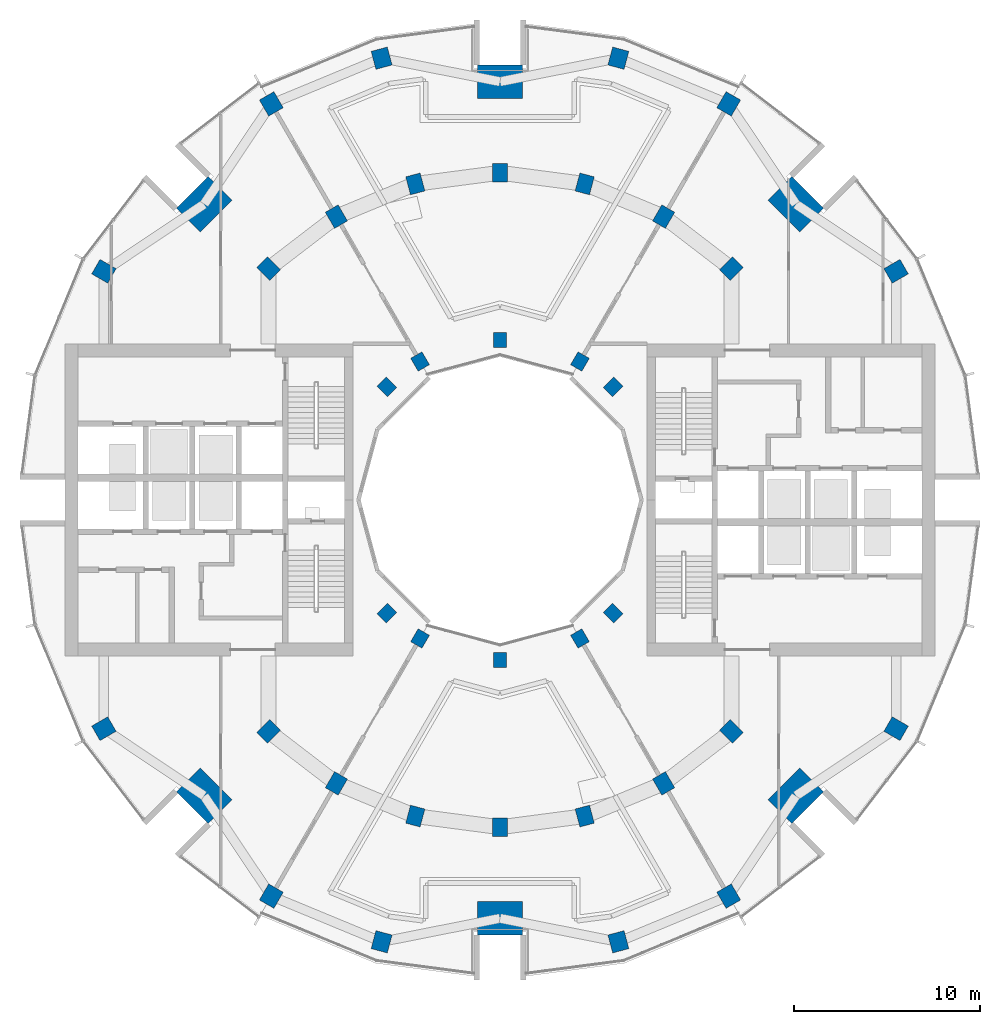
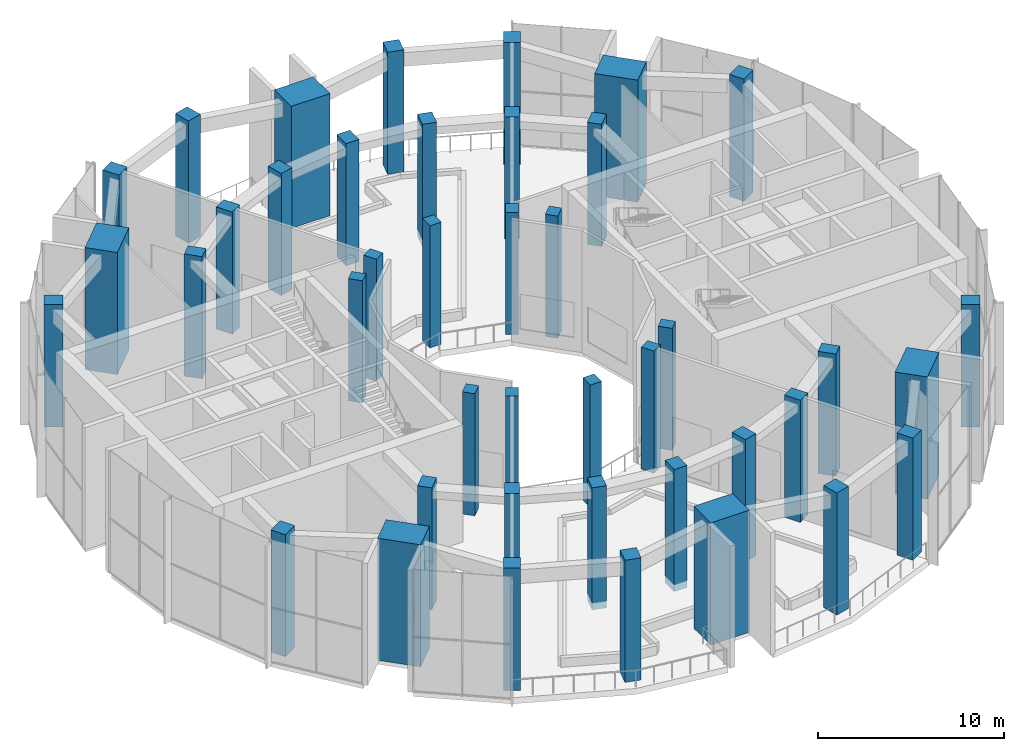
# One storey, part 1 of 18: 42 columns.
"""IFC4 building model written with IfcOpenShell, lengths in metres."""

import ifcopenshell
import ifcopenshell.guid

model = None  # the IFC model being written
_history = None  # IfcOwnerHistory: only IFC2X3 demands one
_inside = {}  # id of a spatial element -> (the spatial element, [elements in it])
_under = {}  # id of a project, library or spatial element -> (it, [spatial elements below it])
_declared = {}  # id of a project -> (the project, [libraries it declares])
_typed = {}  # id of a type object -> (the type object, [elements of that type])
_made_of = {}  # id of a material, layer set ... -> (it, [elements and type objects made of it])


def new_model(schema):
    """Start an empty IFC model of exactly this schema.

    Asked for "IFC4X3", IfcOpenShell would pick the latest addendum, in which some entities
    have other attributes; the version numbers below select the first issue.
    IFC2X3 requires an IfcOwnerHistory on every rooted entity: one is made here for all.
    """
    global model, _history
    if schema == "IFC4X3":
        model = ifcopenshell.file(schema_version=(4, 3, 0, 0))
    else:
        model = ifcopenshell.file(schema=schema)
    _inside.clear()
    _under.clear()
    _declared.clear()
    _typed.clear()
    _made_of.clear()
    _history = None
    if model.schema == "IFC2X3":
        org = make("IfcOrganization", Name="unknown")
        user = make(
            "IfcPersonAndOrganization",
            ThePerson=make("IfcPerson", FamilyName="unknown"),
            TheOrganization=org,
        )
        app = make(
            "IfcApplication",
            ApplicationDeveloper=org,
            Version="unknown",
            ApplicationFullName="unknown",
            ApplicationIdentifier="unknown",
        )
        _history = make(
            "IfcOwnerHistory",
            OwningUser=user,
            OwningApplication=app,
            ChangeAction="ADDED",
            CreationDate=0,
        )
    return model


def make(cls, **values):
    """One entity of the class cls with the attributes given. An attribute that is None is left unset."""
    return model.create_entity(
        cls, **{name: value for name, value in values.items() if value is not None}
    )


def rooted(cls, **values):
    """An entity with a GlobalId (a new one), such as an element, a storey or a relation."""
    return make(cls, GlobalId=ifcopenshell.guid.new(), OwnerHistory=_history, **values)


def si_unit(unit_type, name, prefix=None):
    """IfcSIUnit, for example si_unit("LENGTHUNIT", "METRE", prefix="MILLI")."""
    return make("IfcSIUnit", UnitType=unit_type, Prefix=prefix, Name=name)


def assignment(units):
    """IfcUnitAssignment: the units of a project."""
    return None if units is None else make("IfcUnitAssignment", Units=units)


def point(xyz):
    """IfcCartesianPoint."""
    return None if xyz is None else make("IfcCartesianPoint", Coordinates=xyz)


def direction(xyz):
    """IfcDirection."""
    return None if xyz is None else make("IfcDirection", DirectionRatios=xyz)


def frame(location, z_axis=None, x_axis=None):
    """IfcAxis2Placement3D, a coordinate frame: its origin and axes. An axis left out is left unset."""
    return make(
        "IfcAxis2Placement3D",
        Location=point(location),
        Axis=direction(z_axis),
        RefDirection=direction(x_axis),
    )


def frame_2d(location, x_axis=None):
    """IfcAxis2Placement2D, a coordinate frame in the plane: its origin and x axis."""
    return make(
        "IfcAxis2Placement2D", Location=point(location), RefDirection=direction(x_axis)
    )


def origin():
    """The frame at (0, 0, 0) with its axes left unset."""
    return frame((0.0, 0.0, 0.0))


def origin_2d():
    """The frame at (0, 0) in the plane with its x axis left unset."""
    return frame_2d((0.0, 0.0))


def place(relative_to, where):
    """IfcLocalPlacement: puts the frame where relative to a parent placement (None: the world)."""
    return make(
        "IfcLocalPlacement", PlacementRelTo=relative_to, RelativePlacement=where
    )


def context(
    kind, dimensions, precision=None, world=None, true_north=None, identifier=None
):
    """IfcGeometricRepresentationContext, for example the 3D "Model" context."""
    return make(
        "IfcGeometricRepresentationContext",
        ContextIdentifier=identifier,
        ContextType=kind,
        CoordinateSpaceDimension=dimensions,
        Precision=precision,
        WorldCoordinateSystem=world,
        TrueNorth=true_north,
    )


def subcontext(parent, identifier, kind, view, scale=None):
    """IfcGeometricRepresentationSubContext, for example "Body" below "Model"."""
    return make(
        "IfcGeometricRepresentationSubContext",
        ContextIdentifier=identifier,
        ContextType=kind,
        ParentContext=parent,
        TargetScale=scale,
        TargetView=view,
    )


def project(units=None, contexts=None):
    """IfcProject with its units and contexts."""
    return rooted(
        "IfcProject",
        Name="project",
        RepresentationContexts=contexts,
        UnitsInContext=assignment(units),
    )


def spatial(cls, under=None, at=None, **own):
    """A site, building, storey or space (cls), placed at a placement, below another one or the project."""
    s = rooted(cls, ObjectPlacement=at, **own)
    if under is not None:
        _under.setdefault(under.id(), (under, []))[1].append(s)
    return s


def profile(cls, at=None, kind="AREA", **sizes):
    """A parametric profile (cls). Its sizes go by their IFC names, for example OverallWidth=200.0."""
    return make(cls, ProfileType=kind, Position=at, **sizes)


def rectangle(**sizes):
    """IfcRectangleProfileDef."""
    return profile("IfcRectangleProfileDef", **sizes)


def extrude(swept, where, along, depth):
    """IfcExtrudedAreaSolid: the profile swept, set in the frame where, extruded along a direction by depth."""
    return make(
        "IfcExtrudedAreaSolid",
        SweptArea=swept,
        Position=where,
        ExtrudedDirection=direction(along),
        Depth=depth,
    )


def shape(context_of_items, identifier, shape_type, items):
    """IfcShapeRepresentation: the items that make up one representation, for example the "Body"."""
    return make(
        "IfcShapeRepresentation",
        ContextOfItems=context_of_items,
        RepresentationIdentifier=identifier,
        RepresentationType=shape_type,
        Items=items,
    )


def material(Name=None, Category=None):
    """IfcMaterial."""
    return make("IfcMaterial", Name=Name, Category=Category)


def material_profile(
    of_material, cross_section, Name=None, Category=None, Priority=None
):
    """IfcMaterialProfile: a cross section and its material."""
    return make(
        "IfcMaterialProfile",
        Name=Name,
        Material=of_material,
        Profile=cross_section,
        Priority=Priority,
        Category=Category,
    )


def profile_set(profiles, Name=None, composite=None):
    """IfcMaterialProfileSet."""
    return make(
        "IfcMaterialProfileSet",
        Name=Name,
        MaterialProfiles=profiles,
        CompositeProfile=composite,
    )


def made_of(thing, what):
    """Note that an element or type object is made of a material, layer set ...; save() writes the relation."""
    if what is not None:
        _made_of.setdefault(what.id(), (what, []))[1].append(thing)
    return thing


def type_object(cls, material=None, **own):
    """A type object (cls), such as IfcWallType, which elements share."""
    return made_of(rooted(cls, **own), material)


def element(
    cls,
    number,
    at=None,
    inside=None,
    cuts=None,
    type_object=None,
    material=None,
    context=None,
    identifier="Body",
    shape_type=None,
    held_by="IfcProductDefinitionShape",
    body=None,
    shapes=None,
    **own,
):
    """One element of the class cls, such as IfcWall. Its Tag is "e" and its number.

    at: its placement. inside: the storey or other place that contains it. cuts: it is an
    opening in that element (IfcRelVoidsElement). A single representation is given by context,
    identifier, shape_type and body (its items); several are given by shapes. held_by: the class
    of the entity that holds the representations. save() writes the other relations.
    """
    e = rooted(cls, Tag="e%d" % number, ObjectPlacement=at, **own)
    if body is not None:
        shapes = [shape(context, identifier, shape_type, body)]
    if shapes is not None:
        e.Representation = make(held_by, Representations=shapes)
    if inside is not None:
        _inside.setdefault(inside.id(), (inside, []))[1].append(e)
    if cuts is not None:
        rooted(
            "IfcRelVoidsElement", RelatingBuildingElement=cuts, RelatedOpeningElement=e
        )
    if type_object is not None:
        _typed.setdefault(type_object.id(), (type_object, []))[1].append(e)
    return made_of(e, material)


def aggregate(whole, parts):
    """IfcRelAggregates: a whole, such as a stair, and the parts it consists of."""
    return rooted("IfcRelAggregates", RelatingObject=whole, RelatedObjects=parts)


def save(model, path):
    """Write the relations noted so far, then the file.

    IfcRelAggregates (storeys below a building ...), IfcRelContainedInSpatialStructure (elements
    in a storey), IfcRelDefinesByType, IfcRelAssociatesMaterial and IfcRelDeclares: one each for
    every whole, place, type object, material and project.
    """
    for whole, parts in _under.values():
        aggregate(whole, parts)
    for where, things in _inside.values():
        rooted(
            "IfcRelContainedInSpatialStructure",
            RelatedElements=things,
            RelatingStructure=where,
        )
    for kind, things in _typed.values():
        rooted("IfcRelDefinesByType", RelatedObjects=things, RelatingType=kind)
    for what, things in _made_of.values():
        rooted("IfcRelAssociatesMaterial", RelatedObjects=things, RelatingMaterial=what)
    for by, libraries in _declared.values():
        rooted("IfcRelDeclares", RelatingContext=by, RelatedDefinitions=libraries)
    model.write(path)


model = new_model("IFC4")

# Units and contexts
model_context = context("Model", 3, precision=1e-05, world=origin(), true_north=direction((0.0, 1.0)))
body_context = subcontext(model_context, "Body", "Model", "MODEL_VIEW")
ifc_project = project(units=[si_unit("LENGTHUNIT", "METRE"), si_unit("AREAUNIT", "SQUARE_METRE"), si_unit("VOLUMEUNIT", "CUBIC_METRE"), si_unit("PLANEANGLEUNIT", "RADIAN"), si_unit("MASSUNIT", "GRAM", prefix="KILO")], contexts=[model_context])

# Site, building, storey
site_placement = place(None, origin())
site = spatial("IfcSite", under=ifc_project, at=site_placement, CompositionType="ELEMENT")
building_placement = place(site_placement, origin())
building = spatial("IfcBuilding", under=site, at=building_placement, Name="Torre Brocal", CompositionType="ELEMENT")
storey_placement = place(building_placement, frame((0.0, 0.0, 149.699951171875)))
storey = spatial("IfcBuildingStorey", under=building, at=storey_placement, Name="L35", CompositionType="ELEMENT", Elevation=149.699951171875)

# Columns
ifc_material_1 = material(Name="Concrete C70", Category="concrete")
ifc_material_profile_1 = material_profile(ifc_material_1, rectangle(XDim=1.0, YDim=0.800048828125, at=origin_2d()), Name="RC 1000X800")
ifc_profile_set_1 = profile_set([ifc_material_profile_1], Name="Concrete C70")
column_type_1 = type_object("IfcColumnType", Name="RC COLUMN 1000X800 C70", PredefinedType="COLUMN", material=ifc_profile_set_1)
for number, where, z_axis, x_axis, name in (
    (1, (92.445068359375, 87.445068359375, 0.0), (0.0, 0.0, 1.0), (0.707106781187, 0.707106781187, 0.0), "Column C-M03"),
    (2, (88.800048828125, 90.241943359375, 0.0), (0.0, 0.0, 1.0), (0.5, 0.866025403784, 0.0), "Column C-M04"),
    (3, (84.55517578125, 92.000244140625, 0.0), (0.0, 0.0, 1.0), (0.258819045103, 0.965925826289, 0.0), "Column C-M05"),
    (4, (80.0, 92.60009765625, 0.0), (0.0, 0.0, 1.0), (0.0, 1.0, 0.0), "Column C-M06"),
    (5, (75.44482421875, 92.000244140625, 0.0), (0.0, 0.0, 1.0), (-0.258819045103, 0.965925826289, 0.0), "Column C-M07"),
    (6, (71.199951171875, 90.241943359375, 0.0), (0.0, 0.0, 1.0), (-0.5, 0.866025403784, 0.0), "Column C-M08"),
    (7, (67.554931640625, 87.445068359375, 0.0), (0.0, 0.0, 1.0), (-0.707106781187, 0.707106781187, 0.0), "Column C-M09"),
    (8, (67.554931640625, 62.554931640625, 0.0), (0.0, 0.0, 1.0), (-0.707106781187, -0.707106781187, 0.0), "Column C-M15"),
    (9, (71.199951171875, 59.758056640625, 0.0), (0.0, 0.0, 1.0), (-0.5, -0.866025403784, 0.0), "Column C-M16"),
    (10, (75.44482421875, 57.999755859375, 0.0), (0.0, 0.0, 1.0), (-0.258819045103, -0.965925826289, 0.0), "Column C-M17"),
    (11, (80.0, 57.39990234375, 0.0), (0.0, 0.0, 1.0), (0.0, -1.0, 0.0), "Column C-M18"),
    (12, (84.55517578125, 57.999755859375, 0.0), (0.0, 0.0, 1.0), (0.258819045103, -0.965925826289, 0.0), "Column C-M19"),
    (13, (88.800048828125, 59.758056640625, 0.0), (0.0, 0.0, 1.0), (0.5, -0.866025403784, 0.0), "Column C-M20"),
    (14, (92.445068359375, 62.554931640625, 0.0), (0.0, 0.0, 1.0), (0.707106781187, -0.707106781187, 0.0), "Column C-M21"),
):
    element("IfcColumn", number, at=place(storey_placement, frame(where, z_axis=z_axis, x_axis=x_axis)), inside=storey, type_object=column_type_1, Name=name, PredefinedType="COLUMN", context=body_context, shape_type="SweptSolid", body=[
        extrude(rectangle(XDim=1.0, YDim=0.800048828125, at=origin_2d()), origin(), (0.0, 0.0, 1.0), 8.0),
    ])
ifc_material_2 = material(Name="Concrete C70", Category="concrete")
ifc_material_profile_2 = material_profile(ifc_material_2, rectangle(XDim=1.0, YDim=0.89990234375, at=origin_2d()), Name="RC 1000X900")
ifc_profile_set_2 = profile_set([ifc_material_profile_2], Name="Concrete C70")
column_type_2 = type_object("IfcColumnType", Name="RC COLUMN 1000X900 C70", PredefinedType="COLUMN", material=ifc_profile_set_2)
for number, where, z_axis, x_axis, name in (
    (15, (101.30419921875, 87.300048828125, 0.0), (0.0, 0.0, 1.0), (0.866025403784, 0.5, 0.0), "Column C-O02"),
    (16, (92.300048828125, 96.30419921875, 0.0), (0.0, 0.0, 1.0), (0.5, 0.866025403784, 0.0), "Column C-O04"),
    (17, (86.366943359375, 98.76171875, 0.0), (0.0, 0.0, 1.0), (0.258819045103, 0.965925826289, 0.0), "Column C-O05"),
    (18, (73.633056640625, 98.76171875, 0.0), (0.0, 0.0, 1.0), (-0.258819045103, 0.965925826289, 0.0), "Column C-O07"),
    (19, (67.699951171875, 96.30419921875, 0.0), (0.0, 0.0, 1.0), (-0.5, 0.866025403784, 0.0), "Column C-O08"),
    (20, (58.69580078125, 87.300048828125, 0.0), (0.0, 0.0, 1.0), (-0.866025403784, 0.5, 0.0), "Column C-O10"),
    (21, (58.69580078125, 62.699951171875, 0.0), (0.0, 0.0, 1.0), (-0.866025403784, -0.5, 0.0), "Column C-O14"),
    (22, (67.699951171875, 53.69580078125, 0.0), (0.0, 0.0, 1.0), (-0.5, -0.866025403784, 0.0), "Column C-O16"),
    (23, (73.633056640625, 51.23828125, 0.0), (0.0, 0.0, 1.0), (-0.258819045103, -0.965925826289, 0.0), "Column C-O17"),
    (24, (86.366943359375, 51.23828125, 0.0), (0.0, 0.0, 1.0), (0.258819045103, -0.965925826289, 0.0), "Column C-O19"),
    (25, (92.300048828125, 53.69580078125, 0.0), (0.0, 0.0, 1.0), (0.5, -0.866025403784, 0.0), "Column C-O20"),
    (26, (101.30419921875, 62.699951171875, 0.0), (0.0, 0.0, 1.0), (0.866025403784, -0.5, 0.0), "Column C-O22"),
):
    element("IfcColumn", number, at=place(storey_placement, frame(where, z_axis=z_axis, x_axis=x_axis)), inside=storey, type_object=column_type_2, Name=name, PredefinedType="COLUMN", context=body_context, shape_type="SweptSolid", body=[
        extrude(rectangle(XDim=1.0, YDim=0.89990234375, at=origin_2d()), origin(), (0.0, 0.0, 1.0), 8.0),
    ])
ifc_material_3 = material(Name="Concrete C70", Category="concrete")
ifc_material_profile_3 = material_profile(ifc_material_3, rectangle(XDim=1.800048828125, YDim=2.39990234375, at=origin_2d()), Name="RC 1800X2400")
ifc_profile_set_3 = profile_set([ifc_material_profile_3], Name="Concrete C70")
column_type_3 = type_object("IfcColumnType", Name="RC COLUMN 1800X2400 C70", PredefinedType="COLUMN", material=ifc_profile_set_3)
for number, where, z_axis, x_axis, name in (
    (27, (95.909912109375, 90.909912109375, 0.0), (0.0, 0.0, 1.0), (0.707106781187, 0.707106781187, 0.0), "Column MC-1"),
    (28, (80.0, 97.5, 0.0), (0.0, 0.0, 1.0), (0.0, 1.0, 0.0), "Column MC-2"),
    (29, (64.090087890625, 90.909912109375, 0.0), (0.0, 0.0, 1.0), (-0.707106781187, 0.707106781187, 0.0), "Column MC-3"),
    (30, (64.090087890625, 59.090087890625, 0.0), (0.0, 0.0, 1.0), (-0.707106781187, -0.707106781187, 0.0), "Column MC-5"),
    (31, (80.0, 52.5, 0.0), (0.0, 0.0, 1.0), (0.0, -1.0, 0.0), "Column MC-6"),
    (32, (95.909912109375, 59.090087890625, 0.0), (0.0, 0.0, 1.0), (0.707106781187, -0.707106781187, 0.0), "Column MC-7"),
):
    element("IfcColumn", number, at=place(storey_placement, frame(where, z_axis=z_axis, x_axis=x_axis)), inside=storey, type_object=column_type_3, Name=name, PredefinedType="COLUMN", context=body_context, shape_type="SweptSolid", body=[
        extrude(rectangle(XDim=1.800048828125, YDim=2.39990234375, at=origin_2d()), origin(), (0.0, 0.0, 1.0), 8.0),
    ])
ifc_material_4 = material(Name="Concrete C70", Category="concrete")
ifc_material_profile_4 = material_profile(ifc_material_4, rectangle(XDim=0.800048828125, YDim=0.699951171875, at=origin_2d()), Name="RC 800X700")
ifc_profile_set_4 = profile_set([ifc_material_profile_4], Name="Concrete C70")
column_type_4 = type_object("IfcColumnType", Name="RC COLUMN 800X700 C70", PredefinedType="COLUMN", material=ifc_profile_set_4)
for number, where, z_axis, x_axis, name in (
    (33, (86.0810546875, 81.0810546875, 0.0), (0.0, 0.0, 1.0), (0.707106781187, 0.707106781187, 0.0), "Column C-I03"),
    (34, (84.300048828125, 82.44775390625, 0.0), (0.0, 0.0, 1.0), (0.5, 0.866025403784, 0.0), "Column C-I04"),
    (35, (80.0, 83.60009765625, 0.0), (0.0, 0.0, 1.0), (0.0, 1.0, 0.0), "Column C-I06"),
    (36, (75.699951171875, 82.44775390625, 0.0), (0.0, 0.0, 1.0), (-0.5, 0.866025403784, 0.0), "Column C-I08"),
    (37, (73.9189453125, 81.0810546875, 0.0), (0.0, 0.0, 1.0), (-0.707106781187, 0.707106781187, 0.0), "Column C-I09"),
    (38, (73.9189453125, 68.9189453125, 0.0), (0.0, 0.0, 1.0), (-0.707106781187, -0.707106781187, 0.0), "Column C-I15"),
    (39, (75.699951171875, 67.55224609375, 0.0), (0.0, 0.0, 1.0), (-0.5, -0.866025403784, 0.0), "Column C-I16"),
    (40, (80.0, 66.39990234375, 0.0), (0.0, 0.0, 1.0), (0.0, -1.0, 0.0), "Column C-I18"),
    (41, (84.300048828125, 67.55224609375, 0.0), (0.0, 0.0, 1.0), (0.5, -0.866025403784, 0.0), "Column C-I20"),
    (42, (86.0810546875, 68.9189453125, 0.0), (0.0, 0.0, 1.0), (0.707106781187, -0.707106781187, 0.0), "Column C-I21"),
):
    element("IfcColumn", number, at=place(storey_placement, frame(where, z_axis=z_axis, x_axis=x_axis)), inside=storey, type_object=column_type_4, Name=name, PredefinedType="COLUMN", context=body_context, shape_type="SweptSolid", body=[
        extrude(rectangle(XDim=0.800048828125, YDim=0.699951171875, at=origin_2d()), origin(), (0.0, 0.0, 1.0), 8.0),
    ])

save(model, "model.ifc")
